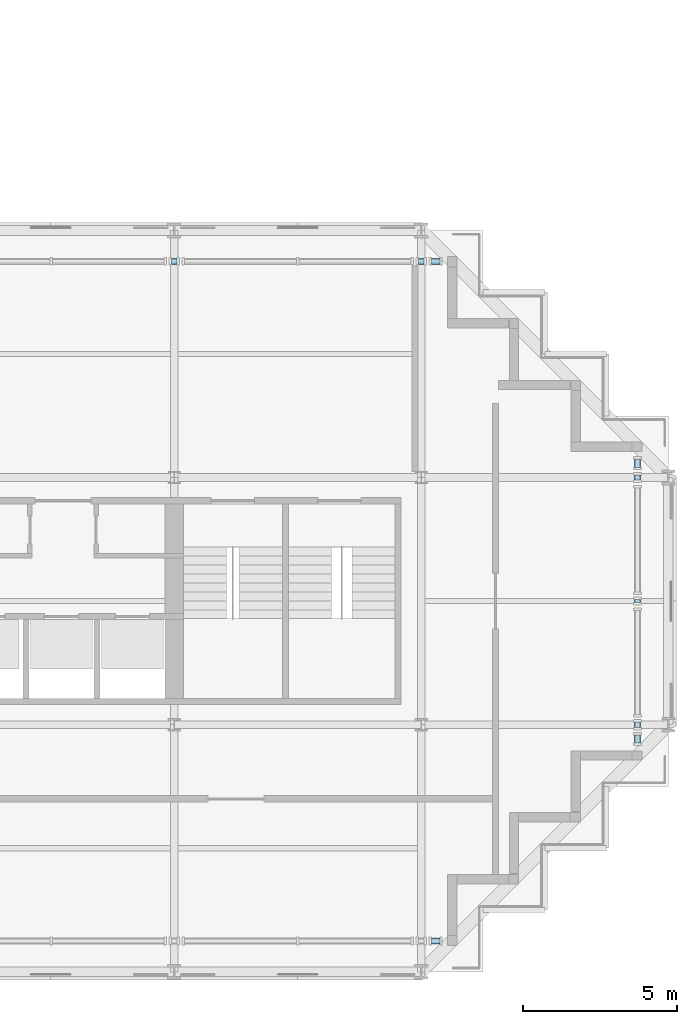
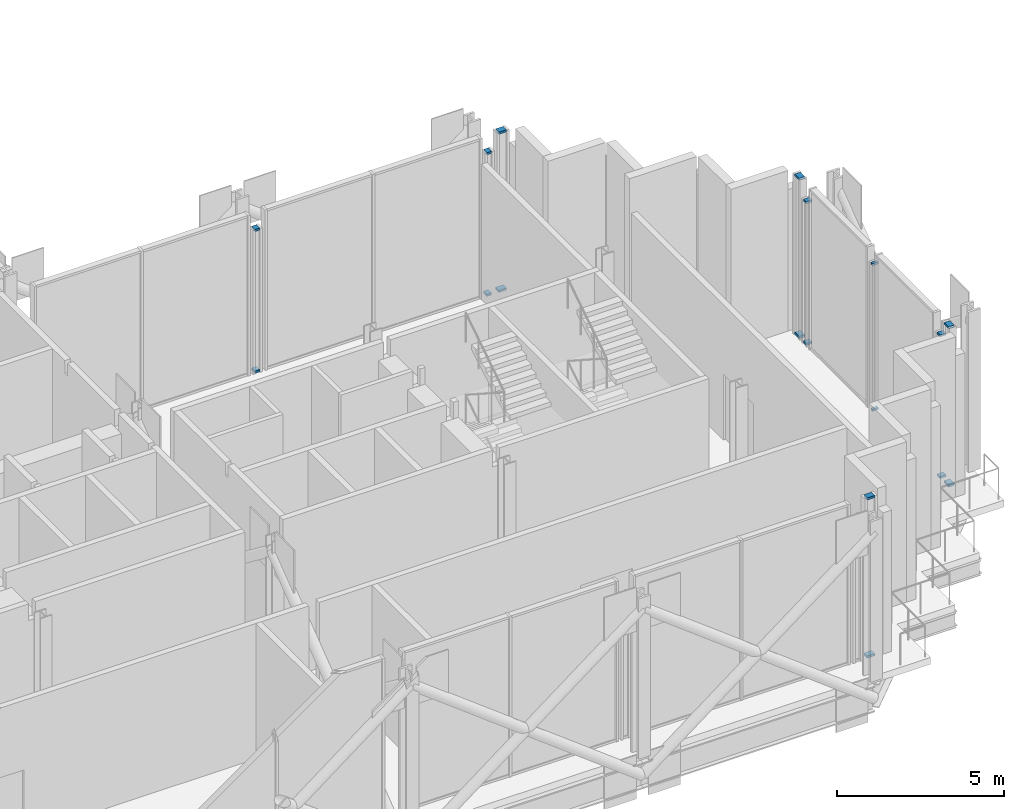
# One storey, part 8 of 23: 18 members, 9 elements without a shape of their own.
"""IFC4 building model written with IfcOpenShell, lengths in metres."""

from ifc_helpers import new_model, si_unit, direction, frame, origin, origin_2d, place, context, subcontext, project, spatial, rectangle, extrude, material, material_profile, profile_set, type_object, element, aggregate, save


model = new_model("IFC4")

# Units and contexts
model_context = context("Model", 3, precision=1e-05, world=origin(), true_north=direction((0.0, 1.0)))
body_context = subcontext(model_context, "Body", "Model", "MODEL_VIEW")
ifc_project = project(units=[si_unit("LENGTHUNIT", "METRE"), si_unit("AREAUNIT", "SQUARE_METRE"), si_unit("VOLUMEUNIT", "CUBIC_METRE"), si_unit("PLANEANGLEUNIT", "RADIAN"), si_unit("MASSUNIT", "GRAM", prefix="KILO")], contexts=[model_context])

# Site, building, storey
site_placement = place(None, origin())
site = spatial("IfcSite", under=ifc_project, at=site_placement, CompositionType="ELEMENT")
building_placement = place(site_placement, origin())
building = spatial("IfcBuilding", under=site, at=building_placement, Name="Immortelle Media Tower", CompositionType="ELEMENT")
storey_placement = place(building_placement, frame((0.0, 0.0, 183.0)))
storey = spatial("IfcBuildingStorey", under=building, at=storey_placement, Name="L38", CompositionType="ELEMENT", Elevation=183.0)

# Curtain wall, members
ifc_material_1 = material(Name="Aluminium curtain wall system", Category="aluminium")
curtain_wall_type = type_object("IfcCurtainWallType", Name="Plant louvre wall curtain wall", PredefinedType="NOTDEFINED", material=ifc_material_1)
curtain_wall_1_placement = place(storey_placement, origin())
curtain_wall_1 = element("IfcCurtainWall", 1, at=curtain_wall_1_placement, inside=storey, type_object=curtain_wall_type, Name="Plant louvre wall L38 S 7-11", PredefinedType="NOTDEFINED")
ifc_material_2 = material(Name="Aluminium 6063-T6", Category="aluminium")
ifc_material_profile = material_profile(ifc_material_2, rectangle(XDim=0.199951171875, YDim=0.080078125, at=origin_2d()), Name="AL 80x200")
ifc_profile_set = profile_set([ifc_material_profile], Name="Aluminium 6063-T6")
member_type = type_object("IfcMemberType", Name="Plant louvre wall transom 80 x 200", PredefinedType="USERDEFINED", material=ifc_profile_set)
member_1_placement = place(storey_placement, frame((40.333984375, 1.0, 0.0400390625), z_axis=(1.0, 0.0, 0.0), x_axis=(0.0, 1.0, 0.0)))
member_1 = element("IfcMember", 2, at=member_1_placement, type_object=member_type, Name="CW6 transom 1.1", ObjectType="TRANSOM", PredefinedType="USERDEFINED", context=body_context, shape_type="SweptSolid", body=[
    extrude(rectangle(XDim=0.199951171875, YDim=0.080078125, at=origin_2d()), origin(), (0.0, 0.0, 1.0), 0.264404296875),
])
member_2_placement = place(storey_placement, frame((40.333984375, 1.0, 5.8095703125), z_axis=(1.0, 0.0, 0.0), x_axis=(0.0, 1.0, 0.0)))
member_2 = element("IfcMember", 3, at=member_2_placement, type_object=member_type, Name="CW6 transom 1.2", ObjectType="TRANSOM", PredefinedType="USERDEFINED", context=body_context, shape_type="SweptSolid", body=[
    extrude(rectangle(XDim=0.199951171875, YDim=0.080078125, at=origin_2d()), origin(), (0.0, 0.0, 1.0), 0.264404296875),
])
aggregate(curtain_wall_1, [member_1, member_2])

curtain_wall_2_placement = place(storey_placement, origin())
curtain_wall_2 = element("IfcCurtainWall", 4, at=curtain_wall_2_placement, inside=storey, type_object=curtain_wall_type, Name="Plant louvre wall L38 E 14-2", PredefinedType="NOTDEFINED")
member_3_placement = place(storey_placement, frame((47.0, 7.401611328125, 0.0400390625), z_axis=(0.0, 1.0, 0.0), x_axis=(-1.0, 0.0, 0.0)))
member_3 = element("IfcMember", 5, at=member_3_placement, type_object=member_type, Name="CW6 transom 1.1", ObjectType="TRANSOM", PredefinedType="USERDEFINED", context=body_context, shape_type="SweptSolid", body=[
    extrude(rectangle(XDim=0.199951171875, YDim=0.080078125, at=origin_2d()), origin(), (0.0, 0.0, 1.0), 0.264404296875),
])
member_4_placement = place(storey_placement, frame((47.0, 7.401611328125, 5.8095703125), z_axis=(0.0, 1.0, 0.0), x_axis=(-1.0, 0.0, 0.0)))
member_4 = element("IfcMember", 6, at=member_4_placement, type_object=member_type, Name="CW6 transom 1.2", ObjectType="TRANSOM", PredefinedType="USERDEFINED", context=body_context, shape_type="SweptSolid", body=[
    extrude(rectangle(XDim=0.199951171875, YDim=0.080078125, at=origin_2d()), origin(), (0.0, 0.0, 1.0), 0.264404296875),
])
aggregate(curtain_wall_2, [member_3, member_4])

curtain_wall_3_placement = place(storey_placement, origin())
curtain_wall_3 = element("IfcCurtainWall", 7, at=curtain_wall_3_placement, inside=storey, type_object=curtain_wall_type, Name="Plant louvre wall L38 E 14-3", PredefinedType="NOTDEFINED")
member_5_placement = place(storey_placement, frame((47.0, 7.916015625, 0.0400390625), z_axis=(0.0, 1.0, 0.0), x_axis=(-1.0, 0.0, 0.0)))
member_5 = element("IfcMember", 8, at=member_5_placement, type_object=member_type, Name="CW6 transom 1.1", ObjectType="TRANSOM", PredefinedType="USERDEFINED", context=body_context, shape_type="SweptSolid", body=[
    extrude(rectangle(XDim=0.199951171875, YDim=0.080078125, at=origin_2d()), origin(), (0.0, 0.0, 1.0), 0.16796875),
])
member_6_placement = place(storey_placement, frame((47.0, 7.916015625, 5.20751953125), z_axis=(0.0, 1.0, 0.0), x_axis=(-1.0, 0.0, 0.0)))
member_6 = element("IfcMember", 9, at=member_6_placement, type_object=member_type, Name="CW6 transom 1.2", ObjectType="TRANSOM", PredefinedType="USERDEFINED", context=body_context, shape_type="SweptSolid", body=[
    extrude(rectangle(XDim=0.199951171875, YDim=0.080078125, at=origin_2d()), origin(), (0.0, 0.0, 1.0), 0.16796875),
])
aggregate(curtain_wall_3, [member_5, member_6])

curtain_wall_4_placement = place(storey_placement, origin())
curtain_wall_4 = element("IfcCurtainWall", 10, at=curtain_wall_4_placement, inside=storey, type_object=curtain_wall_type, Name="Plant louvre wall L38 E 14-5", PredefinedType="NOTDEFINED")
member_7_placement = place(storey_placement, frame((47.0, 11.95361328125, 0.0400390625), z_axis=(0.0, 1.0, 0.0), x_axis=(-1.0, 0.0, 0.0)))
member_7 = element("IfcMember", 11, at=member_7_placement, type_object=member_type, Name="CW6 transom 1.1", ObjectType="TRANSOM", PredefinedType="USERDEFINED", context=body_context, shape_type="SweptSolid", body=[
    extrude(rectangle(XDim=0.199951171875, YDim=0.080078125, at=origin_2d()), origin(), (0.0, 0.0, 1.0), 0.0927734375),
])
member_8_placement = place(storey_placement, frame((47.0, 11.95361328125, 5.3544921875), z_axis=(0.0, 1.0, 0.0), x_axis=(-1.0, 0.0, 0.0)))
member_8 = element("IfcMember", 12, at=member_8_placement, type_object=member_type, Name="CW6 transom 1.2", ObjectType="TRANSOM", PredefinedType="USERDEFINED", context=body_context, shape_type="SweptSolid", body=[
    extrude(rectangle(XDim=0.199951171875, YDim=0.080078125, at=origin_2d()), origin(), (0.0, 0.0, 1.0), 0.0927734375),
])
aggregate(curtain_wall_4, [member_7, member_8])

curtain_wall_5_placement = place(storey_placement, origin())
curtain_wall_5 = element("IfcCurtainWall", 13, at=curtain_wall_5_placement, inside=storey, type_object=curtain_wall_type, Name="Plant louvre wall L38 E 14-7", PredefinedType="NOTDEFINED")
member_9_placement = place(storey_placement, frame((47.0, 15.916015625, 0.0400390625), z_axis=(0.0, 1.0, 0.0), x_axis=(-1.0, 0.0, 0.0)))
member_9 = element("IfcMember", 14, at=member_9_placement, type_object=member_type, Name="CW6 transom 1.1", ObjectType="TRANSOM", PredefinedType="USERDEFINED", context=body_context, shape_type="SweptSolid", body=[
    extrude(rectangle(XDim=0.199951171875, YDim=0.080078125, at=origin_2d()), origin(), (0.0, 0.0, 1.0), 0.16796875),
])
member_10_placement = place(storey_placement, frame((47.0, 15.916015625, 5.20751953125), z_axis=(0.0, 1.0, 0.0), x_axis=(-1.0, 0.0, 0.0)))
member_10 = element("IfcMember", 15, at=member_10_placement, type_object=member_type, Name="CW6 transom 1.2", ObjectType="TRANSOM", PredefinedType="USERDEFINED", context=body_context, shape_type="SweptSolid", body=[
    extrude(rectangle(XDim=0.199951171875, YDim=0.080078125, at=origin_2d()), origin(), (0.0, 0.0, 1.0), 0.16796875),
])
aggregate(curtain_wall_5, [member_9, member_10])

curtain_wall_6_placement = place(storey_placement, origin())
curtain_wall_6 = element("IfcCurtainWall", 16, at=curtain_wall_6_placement, inside=storey, type_object=curtain_wall_type, Name="Plant louvre wall L38 E 14-8", PredefinedType="NOTDEFINED")
member_11_placement = place(storey_placement, frame((47.0, 16.333984375, 0.0400390625), z_axis=(0.0, 1.0, 0.0), x_axis=(-1.0, 0.0, 0.0)))
member_11 = element("IfcMember", 17, at=member_11_placement, type_object=member_type, Name="CW6 transom 1.1", ObjectType="TRANSOM", PredefinedType="USERDEFINED", context=body_context, shape_type="SweptSolid", body=[
    extrude(rectangle(XDim=0.199951171875, YDim=0.080078125, at=origin_2d()), origin(), (0.0, 0.0, 1.0), 0.264404296875),
])
member_12_placement = place(storey_placement, frame((47.0, 16.333984375, 5.8095703125), z_axis=(0.0, 1.0, 0.0), x_axis=(-1.0, 0.0, 0.0)))
member_12 = element("IfcMember", 18, at=member_12_placement, type_object=member_type, Name="CW6 transom 1.2", ObjectType="TRANSOM", PredefinedType="USERDEFINED", context=body_context, shape_type="SweptSolid", body=[
    extrude(rectangle(XDim=0.199951171875, YDim=0.080078125, at=origin_2d()), origin(), (0.0, 0.0, 1.0), 0.264404296875),
])
aggregate(curtain_wall_6, [member_11, member_12])

curtain_wall_7_placement = place(storey_placement, origin())
curtain_wall_7 = element("IfcCurtainWall", 19, at=curtain_wall_7_placement, inside=storey, type_object=curtain_wall_type, Name="Plant louvre wall L38 N 21-2", PredefinedType="NOTDEFINED")
member_13_placement = place(storey_placement, frame((40.598388671875, 23.0, 0.0400390625), z_axis=(-1.0, 0.0, 0.0), x_axis=(0.0, -1.0, 0.0)))
member_13 = element("IfcMember", 20, at=member_13_placement, type_object=member_type, Name="CW6 transom 1.1", ObjectType="TRANSOM", PredefinedType="USERDEFINED", context=body_context, shape_type="SweptSolid", body=[
    extrude(rectangle(XDim=0.199951171875, YDim=0.080078125, at=origin_2d()), origin(), (0.0, 0.0, 1.0), 0.264404296875),
])
member_14_placement = place(storey_placement, frame((40.598388671875, 23.0, 5.8095703125), z_axis=(-1.0, 0.0, 0.0), x_axis=(0.0, -1.0, 0.0)))
member_14 = element("IfcMember", 21, at=member_14_placement, type_object=member_type, Name="CW6 transom 1.2", ObjectType="TRANSOM", PredefinedType="USERDEFINED", context=body_context, shape_type="SweptSolid", body=[
    extrude(rectangle(XDim=0.199951171875, YDim=0.080078125, at=origin_2d()), origin(), (0.0, 0.0, 1.0), 0.264404296875),
])
aggregate(curtain_wall_7, [member_13, member_14])

curtain_wall_8_placement = place(storey_placement, origin())
curtain_wall_8 = element("IfcCurtainWall", 22, at=curtain_wall_8_placement, inside=storey, type_object=curtain_wall_type, Name="Plant louvre wall L38 N 21-3", PredefinedType="NOTDEFINED")
member_15_placement = place(storey_placement, frame((40.083984375, 23.0, 0.0400390625), z_axis=(-1.0, 0.0, 0.0), x_axis=(0.0, -1.0, 0.0)))
member_15 = element("IfcMember", 23, at=member_15_placement, type_object=member_type, Name="CW6 transom 1.1", ObjectType="TRANSOM", PredefinedType="USERDEFINED", context=body_context, shape_type="SweptSolid", body=[
    extrude(rectangle(XDim=0.199951171875, YDim=0.080078125, at=origin_2d()), origin(), (0.0, 0.0, 1.0), 0.16796875),
])
member_16_placement = place(storey_placement, frame((40.083984375, 23.0, 5.20751953125), z_axis=(-1.0, 0.0, 0.0), x_axis=(0.0, -1.0, 0.0)))
member_16 = element("IfcMember", 24, at=member_16_placement, type_object=member_type, Name="CW6 transom 1.2", ObjectType="TRANSOM", PredefinedType="USERDEFINED", context=body_context, shape_type="SweptSolid", body=[
    extrude(rectangle(XDim=0.199951171875, YDim=0.080078125, at=origin_2d()), origin(), (0.0, 0.0, 1.0), 0.16796875),
])
aggregate(curtain_wall_8, [member_15, member_16])

curtain_wall_9_placement = place(storey_placement, origin())
curtain_wall_9 = element("IfcCurtainWall", 25, at=curtain_wall_9_placement, inside=storey, type_object=curtain_wall_type, Name="Plant louvre wall L38 N 21-5", PredefinedType="NOTDEFINED")
member_17_placement = place(storey_placement, frame((32.083984375, 23.0, 0.0400390625), z_axis=(-1.0, 0.0, 0.0), x_axis=(0.0, -1.0, 0.0)))
member_17 = element("IfcMember", 26, at=member_17_placement, type_object=member_type, Name="CW6 transom 1.1", ObjectType="TRANSOM", PredefinedType="USERDEFINED", context=body_context, shape_type="SweptSolid", body=[
    extrude(rectangle(XDim=0.199951171875, YDim=0.080078125, at=origin_2d()), origin(), (0.0, 0.0, 1.0), 0.16796875),
])
member_18_placement = place(storey_placement, frame((32.083984375, 23.0, 5.20751953125), z_axis=(-1.0, 0.0, 0.0), x_axis=(0.0, -1.0, 0.0)))
member_18 = element("IfcMember", 27, at=member_18_placement, type_object=member_type, Name="CW6 transom 1.2", ObjectType="TRANSOM", PredefinedType="USERDEFINED", context=body_context, shape_type="SweptSolid", body=[
    extrude(rectangle(XDim=0.199951171875, YDim=0.080078125, at=origin_2d()), origin(), (0.0, 0.0, 1.0), 0.16796875),
])
aggregate(curtain_wall_9, [member_17, member_18])

save(model, "model.ifc")
